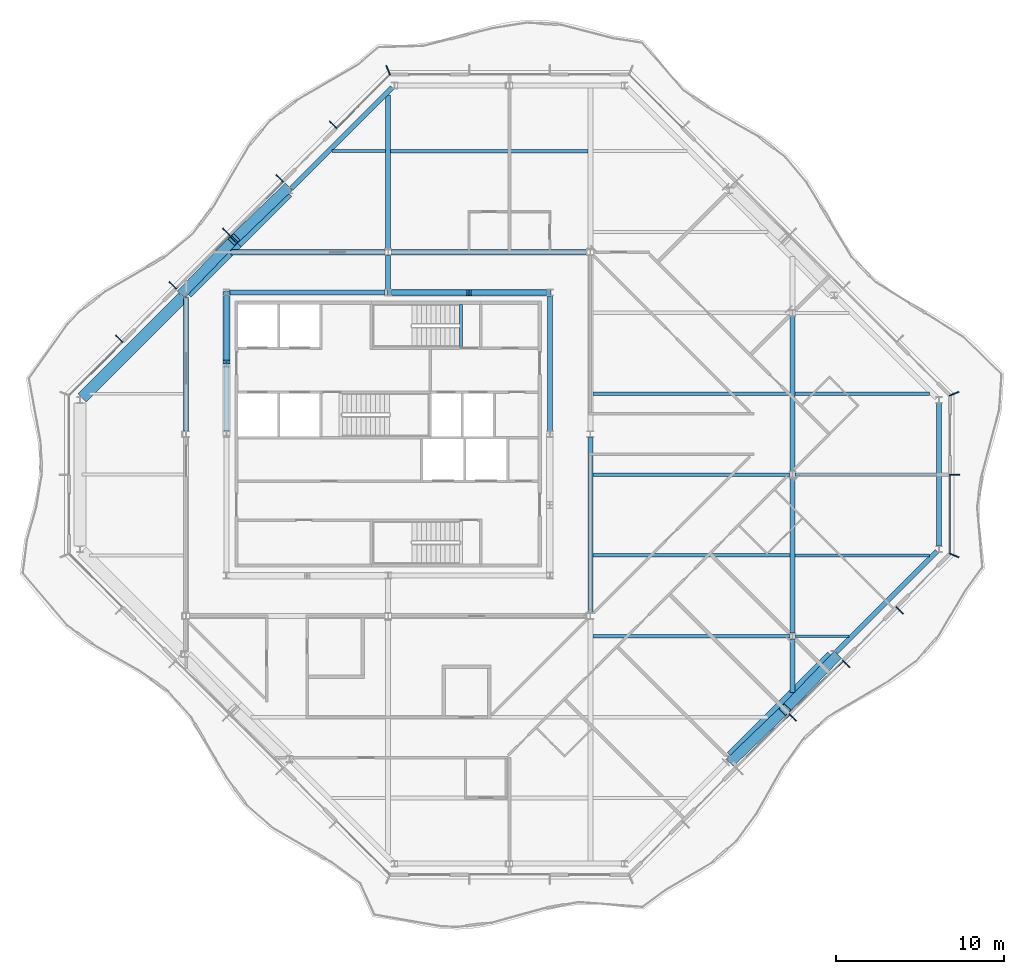
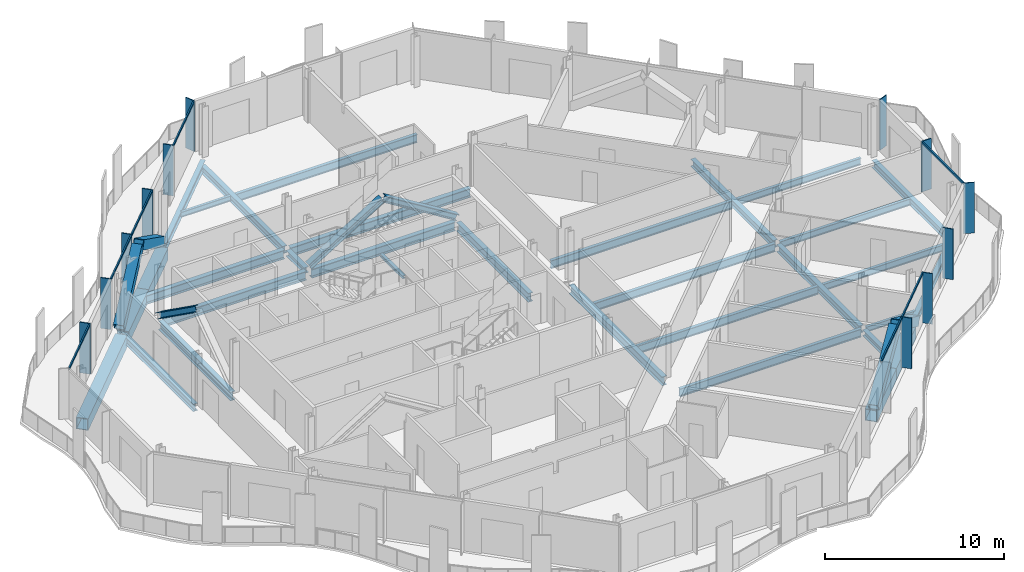
# One storey, part 4 of 17: 32 beams, 26 members, 4 elements without a shape of their own.
"""IFC4 building model written with IfcOpenShell, lengths in metres."""

from ifc_helpers import new_model, si_unit, direction, frame, origin, origin_2d, place, context, subcontext, project, spatial, rectangle, hollow_rectangle, i_section, extrude, material, material_profile, profile_set, type_object, element, aggregate, save


model = new_model("IFC4")

# Units and contexts
model_context = context("Model", 3, precision=1e-05, world=origin(), true_north=direction((0.0, 1.0)))
body_context = subcontext(model_context, "Body", "Model", "MODEL_VIEW")
ifc_project = project(units=[si_unit("LENGTHUNIT", "METRE"), si_unit("AREAUNIT", "SQUARE_METRE"), si_unit("VOLUMEUNIT", "CUBIC_METRE"), si_unit("PLANEANGLEUNIT", "RADIAN"), si_unit("MASSUNIT", "GRAM", prefix="KILO")], contexts=[model_context])

# Site, building, storey
site_placement = place(None, origin())
site = spatial("IfcSite", under=ifc_project, at=site_placement, CompositionType="ELEMENT")
building_placement = place(site_placement, origin())
building = spatial("IfcBuilding", under=site, at=building_placement, Name="Cairn Pilgrim Tower", CompositionType="ELEMENT")
storey_placement = place(building_placement, frame((0.0, 0.0, 281.39990234375)))
storey = spatial("IfcBuildingStorey", under=building, at=storey_placement, Name="L72", CompositionType="ELEMENT", Elevation=281.39990234375)

# Members
ifc_material_1 = material(Name="Structural steel S460M", Category="steel")
ifc_material_profile_1 = material_profile(ifc_material_1, hollow_rectangle(XDim=0.60009765625, YDim=0.60009765625, WallThickness=0.034912109375, at=origin_2d()), Name="BOX 600x600x35")
ifc_profile_set_1 = profile_set([ifc_material_profile_1], Name="Structural steel S460M")
member_type_1 = type_object("IfcMemberType", Name="BOX 600x600x35 BRACE", PredefinedType="BRACE", material=ifc_profile_set_1)
member_1_placement = place(storey_placement, frame((27.602294921875, -16.98779296875, 0.150146484375), z_axis=(0.613676351503, 0.591484186561, 0.5230179659), x_axis=(-0.693968270733, 0.720005582767, 0.0)))
element("IfcMember", 1, at=member_1_placement, inside=storey, type_object=member_type_1, Name="XB-SE2-SE3-1", PredefinedType="BRACE", context=body_context, shape_type="SweptSolid", body=[
    extrude(hollow_rectangle(XDim=0.60009765625, YDim=0.60009765625, WallThickness=0.034912109375, at=origin_2d()), origin(), (0.0, 0.0, 1.0), 5.03857421875),
])
member_2_placement = place(storey_placement, frame((33.78759765625, -10.80224609375, 0.150146484375), z_axis=(-0.59145268268, -0.613693939549, 0.523032955665), x_axis=(0.720033989027, -0.693938797478, 0.0)))
element("IfcMember", 2, at=member_2_placement, inside=storey, type_object=member_type_1, Name="XB-SE2-SE3-2", PredefinedType="BRACE", context=body_context, shape_type="SweptSolid", body=[
    extrude(hollow_rectangle(XDim=0.60009765625, YDim=0.60009765625, WallThickness=0.034912109375, at=origin_2d()), origin(), (0.0, 0.0, 1.0), 5.038330078125),
])
for number, where, z_axis, x_axis, name in (
    (3, (1.19775390625, 16.98779296875, 0.150146484375), (-0.613676351503, -0.591484186561, 0.5230179659), (0.693968270733, -0.720005582767, 0.0), "XB-NW2-NW3-1"),
    (4, (-4.98779296875, 10.80224609375, 0.150146484375), (0.591484186561, 0.613676351503, 0.5230179659), (-0.720005582767, 0.693968270733, 0.0), "XB-NW2-NW3-2"),
):
    element("IfcMember", number, at=place(storey_placement, frame(where, z_axis=z_axis, x_axis=x_axis)), inside=storey, type_object=member_type_1, Name=name, PredefinedType="BRACE", context=body_context, shape_type="SweptSolid", body=[
        extrude(hollow_rectangle(XDim=0.60009765625, YDim=0.60009765625, WallThickness=0.034912109375, at=origin_2d()), origin(), (0.0, 0.0, 1.0), 5.03857421875),
    ])

# Beams
ifc_material_2 = material(Name="Structural steel S355J2", Category="steel")
ifc_material_profile_2 = material_profile(ifc_material_2, hollow_rectangle(XDim=0.699951171875, YDim=0.800048828125, WallThickness=0.0400390625, at=origin_2d()), Name="BOX 700x800x40")
ifc_profile_set_2 = profile_set([ifc_material_profile_2], Name="Structural steel S355J2")
beam_type_1 = type_object("IfcBeamType", Name="BOX 700x800x40 RING GIRDER", PredefinedType="SPANDREL", material=ifc_profile_set_2)
for number, where, z_axis, x_axis, name in (
    (5, (27.575927734375, -16.751220703125, -0.5498046875), (0.707135671578, 0.707077889614, 0.0), (-0.707077889614, 0.707135671578, 0.0), "RG4-SE2-SE3-1"),
    (6, (30.563720703125, -13.763671875, -0.5498046875), (0.707077889614, 0.707135671578, 0.0), (-0.707135671578, 0.707077889614, 0.0), "RG4-SE2-SE3-2"),
    (7, (1.22412109375, 16.751220703125, -0.5498046875), (-0.707135671578, -0.707077889614, 0.0), (0.707077889614, -0.707135671578, 0.0), "RG4-NW2-NW3-1"),
    (8, (-1.763671875, 13.763671875, -0.5498046875), (-0.707077889614, -0.707135671578, 0.0), (0.707135671578, -0.707077889614, 0.0), "RG4-NW2-NW3-2"),
):
    element("IfcBeam", number, at=place(storey_placement, frame(where, z_axis=z_axis, x_axis=x_axis)), inside=storey, type_object=beam_type_1, Name=name, PredefinedType="SPANDREL", context=body_context, shape_type="SweptSolid", body=[
        extrude(hollow_rectangle(XDim=0.699951171875, YDim=0.800048828125, WallThickness=0.0400390625, at=origin_2d()), origin(), (0.0, 0.0, 1.0), 4.22509765625),
    ])
beam_1_placement = place(storey_placement, frame((-5.000244140625, 10.527099609375, -0.5498046875), z_axis=(-0.707092335843, -0.707121226235, 0.0), x_axis=(0.707121226235, -0.707092335843, 0.0)))
element("IfcBeam", 9, at=beam_1_placement, inside=storey, type_object=beam_type_1, Name="RG4-NW3-W1", PredefinedType="SPANDREL", context=body_context, shape_type="SweptSolid", body=[
    extrude(hollow_rectangle(XDim=0.699951171875, YDim=0.800048828125, WallThickness=0.0400390625, at=origin_2d()), origin(), (0.0, 0.0, 1.0), 8.45068359375),
])

# Curtain wall, members
ifc_material_3 = material(Name="Aluminium alloy 6063-T6 bronze anodised with Bronze tinted laminated low-E glass 8+16+8.8", Category="aluminium")
curtain_wall_type = type_object("IfcCurtainWallType", Name="CROWN CURTAIN WALL", PredefinedType="NOTDEFINED", material=ifc_material_3)
curtain_wall_1_placement = place(storey_placement, origin())
curtain_wall_1 = element("IfcCurtainWall", 10, at=curtain_wall_1_placement, inside=storey, type_object=curtain_wall_type, Name="Crown Curtain Wall SE", PredefinedType="NOTDEFINED")
ifc_material_4 = material(Name="Aluminium alloy 6063-T6 bronze anodised", Category="aluminium")
ifc_material_profile_3 = material_profile(ifc_material_4, rectangle(XDim=0.60009765625, YDim=0.06005859375, at=origin_2d()), Name="FIN MULLION 60x600 BRONZE")
ifc_profile_set_3 = profile_set([ifc_material_profile_3], Name="Aluminium alloy 6063-T6 bronze anodised")
member_type_2 = type_object("IfcMemberType", Name="FIN MULLION 60x600 BRONZE", PredefinedType="MULLION", material=ifc_profile_set_3)
member_3_placement = place(storey_placement, frame((31.214111328125, -14.4140625, 0.0), z_axis=(0.0, 0.0, 1.0), x_axis=(0.707106781187, -0.707106781187, 0.0)))
member_3 = element("IfcMember", 11, at=member_3_placement, type_object=member_type_2, Name="Fin mullion SE4", PredefinedType="MULLION", context=body_context, shape_type="SweptSolid", body=[
    extrude(rectangle(XDim=0.60009765625, YDim=0.06005859375, at=origin_2d()), origin(), (0.0, 0.0, 1.0), 3.4501953125),
])
member_4_placement = place(storey_placement, frame((34.3896484375, -11.238525390625, 0.0), z_axis=(0.0, 0.0, 1.0), x_axis=(0.707106781187, -0.707106781187, 0.0)))
member_4 = element("IfcMember", 12, at=member_4_placement, type_object=member_type_2, Name="Fin mullion SE5", PredefinedType="MULLION", context=body_context, shape_type="SweptSolid", body=[
    extrude(rectangle(XDim=0.60009765625, YDim=0.06005859375, at=origin_2d()), origin(), (0.0, 0.0, 1.0), 3.4501953125),
])
member_5_placement = place(storey_placement, frame((37.5654296875, -8.06298828125, 0.0), z_axis=(0.0, 0.0, 1.0), x_axis=(0.707106781187, -0.707106781187, 0.0)))
member_5 = element("IfcMember", 13, at=member_5_placement, type_object=member_type_2, Name="Fin mullion SE6", PredefinedType="MULLION", context=body_context, shape_type="SweptSolid", body=[
    extrude(rectangle(XDim=0.60009765625, YDim=0.06005859375, at=origin_2d()), origin(), (0.0, 0.0, 1.0), 3.4501953125),
])

curtain_wall_2_placement = place(storey_placement, origin())
curtain_wall_2 = element("IfcCurtainWall", 14, at=curtain_wall_2_placement, inside=storey, type_object=curtain_wall_type, Name="Crown Curtain Wall E", PredefinedType="NOTDEFINED")
member_6_placement = place(storey_placement, frame((40.799560546875, -4.7998046875, 0.0), z_axis=(0.0, 0.0, 1.0), x_axis=(0.923879532511, -0.382683432365, 0.0)))
member_6 = element("IfcMember", 15, at=member_6_placement, type_object=member_type_2, Name="Fin mullion E1", PredefinedType="MULLION", context=body_context, shape_type="SweptSolid", body=[
    extrude(rectangle(XDim=0.60009765625, YDim=0.06005859375, at=origin_2d()), origin(), (0.0, 0.0, 1.0), 3.4501953125),
])
member_7_placement = place(storey_placement, frame((40.820068359375, 0.0, 0.0), z_axis=(0.0, 0.0, 1.0), x_axis=(1.0, 0.0, 0.0)))
member_7 = element("IfcMember", 16, at=member_7_placement, type_object=member_type_2, Name="Fin mullion E2", PredefinedType="MULLION", context=body_context, shape_type="SweptSolid", body=[
    extrude(rectangle(XDim=0.60009765625, YDim=0.06005859375, at=origin_2d()), origin(), (0.0, 0.0, 1.0), 3.4501953125),
])

# Curtain wall, member
curtain_wall_3_placement = place(storey_placement, origin())
curtain_wall_3 = element("IfcCurtainWall", 17, at=curtain_wall_3_placement, inside=storey, type_object=curtain_wall_type, Name="Crown Curtain Wall NE", PredefinedType="NOTDEFINED")
member_8_placement = place(storey_placement, frame((40.799560546875, 4.7998046875, 0.0), z_axis=(0.0, 0.0, 1.0), x_axis=(0.923879532511, 0.382683432365, 0.0)))
member_8 = element("IfcMember", 18, at=member_8_placement, type_object=member_type_2, Name="Fin mullion NE1", PredefinedType="MULLION", context=body_context, shape_type="SweptSolid", body=[
    extrude(rectangle(XDim=0.60009765625, YDim=0.06005859375, at=origin_2d()), origin(), (0.0, 0.0, 1.0), 3.4501953125),
])
aggregate(curtain_wall_3, [member_8])

# Curtain wall, members
curtain_wall_4_placement = place(storey_placement, origin())
curtain_wall_4 = element("IfcCurtainWall", 19, at=curtain_wall_4_placement, inside=storey, type_object=curtain_wall_type, Name="Crown Curtain Wall NW", PredefinedType="NOTDEFINED")
member_9_placement = place(storey_placement, frame((7.2001953125, 23.99951171875, 0.0), z_axis=(0.0, 0.0, 1.0), x_axis=(-0.382683432365, 0.923879532511, 0.0)))
member_9 = element("IfcMember", 20, at=member_9_placement, type_object=member_type_2, Name="Fin mullion NW1", PredefinedType="MULLION", context=body_context, shape_type="SweptSolid", body=[
    extrude(rectangle(XDim=0.60009765625, YDim=0.06005859375, at=origin_2d()), origin(), (0.0, 0.0, 1.0), 3.4501953125),
])
member_10_placement = place(storey_placement, frame((3.93701171875, 20.765380859375, 0.0), z_axis=(0.0, 0.0, 1.0), x_axis=(-0.707106781187, 0.707106781187, 0.0)))
member_10 = element("IfcMember", 21, at=member_10_placement, type_object=member_type_2, Name="Fin mullion NW2", PredefinedType="MULLION", context=body_context, shape_type="SweptSolid", body=[
    extrude(rectangle(XDim=0.60009765625, YDim=0.06005859375, at=origin_2d()), origin(), (0.0, 0.0, 1.0), 3.4501953125),
])
member_11_placement = place(storey_placement, frame((0.761474609375, 17.58984375, 0.0), z_axis=(0.0, 0.0, 1.0), x_axis=(-0.707106781187, 0.707106781187, 0.0)))
member_11 = element("IfcMember", 22, at=member_11_placement, type_object=member_type_2, Name="Fin mullion NW3", PredefinedType="MULLION", context=body_context, shape_type="SweptSolid", body=[
    extrude(rectangle(XDim=0.60009765625, YDim=0.06005859375, at=origin_2d()), origin(), (0.0, 0.0, 1.0), 3.4501953125),
])
member_12_placement = place(storey_placement, frame((-2.4140625, 14.4140625, 0.0), z_axis=(0.0, 0.0, 1.0), x_axis=(-0.707106781187, 0.707106781187, 0.0)))
member_12 = element("IfcMember", 23, at=member_12_placement, type_object=member_type_2, Name="Fin mullion NW4", PredefinedType="MULLION", context=body_context, shape_type="SweptSolid", body=[
    extrude(rectangle(XDim=0.60009765625, YDim=0.06005859375, at=origin_2d()), origin(), (0.0, 0.0, 1.0), 3.4501953125),
])
member_13_placement = place(storey_placement, frame((-5.58984375, 11.238525390625, 0.0), z_axis=(0.0, 0.0, 1.0), x_axis=(-0.707106781187, 0.707106781187, 0.0)))
member_13 = element("IfcMember", 24, at=member_13_placement, type_object=member_type_2, Name="Fin mullion NW5", PredefinedType="MULLION", context=body_context, shape_type="SweptSolid", body=[
    extrude(rectangle(XDim=0.60009765625, YDim=0.06005859375, at=origin_2d()), origin(), (0.0, 0.0, 1.0), 3.4501953125),
])
member_14_placement = place(storey_placement, frame((-8.765380859375, 8.06298828125, 0.0), z_axis=(0.0, 0.0, 1.0), x_axis=(-0.707106781187, 0.707106781187, 0.0)))
member_14 = element("IfcMember", 25, at=member_14_placement, type_object=member_type_2, Name="Fin mullion NW6", PredefinedType="MULLION", context=body_context, shape_type="SweptSolid", body=[
    extrude(rectangle(XDim=0.60009765625, YDim=0.06005859375, at=origin_2d()), origin(), (0.0, 0.0, 1.0), 3.4501953125),
])

# Members
ifc_material_profile_4 = material_profile(ifc_material_2, i_section(OverallWidth=0.39794921875, OverallDepth=0.386962890625, WebThickness=0.02099609375, FlangeThickness=0.033203125, FilletRadius=0.014892578125, at=origin_2d()), Name="HD 400x262")
ifc_profile_set_4 = profile_set([ifc_material_profile_4], Name="Structural steel S355J2")
member_type_3 = type_object("IfcMemberType", Name="HD 400x262 BRACE", PredefinedType="BRACE", material=ifc_profile_set_4)
for number, where, z_axis, x_axis, name in (
    (26, (16.76025390625, 10.800048828125, 0.10009765625), (-0.85122905108, 0.0, 0.524794343145), (0.0, -1.0, 0.0), "KB-3A"),
    (27, (7.23974609375, 10.800048828125, 0.10009765625), (0.85122905108, 0.0, 0.524794343145), (0.0, 1.0, 0.0), "KB-3B"),
):
    element("IfcMember", number, at=place(storey_placement, frame(where, z_axis=z_axis, x_axis=x_axis)), inside=storey, type_object=member_type_3, Name=name, PredefinedType="BRACE", context=body_context, shape_type="SweptSolid", body=[
        extrude(i_section(OverallWidth=0.39794921875, OverallDepth=0.386962890625, WebThickness=0.02099609375, FlangeThickness=0.033203125, FilletRadius=0.014892578125, at=origin_2d()), origin(), (0.0, 0.0, 1.0), 5.530029296875),
    ])
member_15_placement = place(storey_placement, frame((-2.39990234375, 10.76025390625, 0.10009765625), z_axis=(0.0, -0.814462005215, 0.580216892258), x_axis=(1.0, 0.0, 0.0)))
element("IfcMember", 28, at=member_15_placement, inside=storey, type_object=member_type_3, Name="KB-4A", PredefinedType="BRACE", context=body_context, shape_type="SweptSolid", body=[
    extrude(i_section(OverallWidth=0.39794921875, OverallDepth=0.386962890625, WebThickness=0.02099609375, FlangeThickness=0.033203125, FilletRadius=0.014892578125, at=origin_2d()), origin(), (0.0, 0.0, 1.0), 4.999755859375),
])

# Beams
ifc_material_profile_5 = material_profile(ifc_material_2, i_section(OverallWidth=0.300048828125, OverallDepth=0.39990234375, WebThickness=0.013427734375, FlangeThickness=0.02392578125, FilletRadius=0.027099609375, at=origin_2d()), Name="HEB 400")
ifc_profile_set_5 = profile_set([ifc_material_profile_5], Name="Structural steel S355J2")
beam_type_2 = type_object("IfcBeamType", Name="HEB 400 GIRDER", PredefinedType="BEAM", material=ifc_profile_set_5)
beam_2_placement = place(storey_placement, frame((7.199951171875, 10.9990234375, -0.349853515625), z_axis=(0.0, 1.0, 0.0), x_axis=(-1.0, 0.0, 0.0)))
element("IfcBeam", 29, at=beam_2_placement, inside=storey, type_object=beam_type_2, Name="PG3-E2", PredefinedType="BEAM", context=body_context, shape_type="SweptSolid", body=[
    extrude(i_section(OverallWidth=0.300048828125, OverallDepth=0.39990234375, WebThickness=0.013427734375, FlangeThickness=0.02392578125, FilletRadius=0.027099609375, at=origin_2d()), origin(), (0.0, 0.0, 1.0), 2.00390625),
])
beam_3_placement = place(storey_placement, frame((31.199951171875, -12.945068359375, -0.349853515625), z_axis=(0.0, 1.0, 0.0), x_axis=(-1.0, 0.0, 0.0)))
element("IfcBeam", 30, at=beam_3_placement, inside=storey, type_object=beam_type_2, Name="PG5-1", PredefinedType="BEAM", context=body_context, shape_type="SweptSolid", body=[
    extrude(i_section(OverallWidth=0.300048828125, OverallDepth=0.39990234375, WebThickness=0.013427734375, FlangeThickness=0.02392578125, FilletRadius=0.027099609375, at=origin_2d()), origin(), (0.0, 0.0, 1.0), 3.14794921875),
])
ifc_material_profile_6 = material_profile(ifc_material_2, i_section(OverallWidth=0.300048828125, OverallDepth=0.5, WebThickness=0.014404296875, FlangeThickness=0.028076171875, FilletRadius=0.027099609375, at=origin_2d()), Name="HEB 500")
ifc_profile_set_6 = profile_set([ifc_material_profile_6], Name="Structural steel S355J2")
beam_type_3 = type_object("IfcBeamType", Name="HEB 500 GIRDER", PredefinedType="BEAM", material=ifc_profile_set_6)
beam_4_placement = place(storey_placement, frame((-4.800048828125, 2.596923828125, -0.39990234375), z_axis=(0.0, 1.0, 0.0), x_axis=(-1.0, 0.0, 0.0)))
element("IfcBeam", 31, at=beam_4_placement, inside=storey, type_object=beam_type_3, Name="PG2-2", PredefinedType="BEAM", context=body_context, shape_type="SweptSolid", body=[
    extrude(i_section(OverallWidth=0.300048828125, OverallDepth=0.5, WebThickness=0.014404296875, FlangeThickness=0.028076171875, FilletRadius=0.027099609375, at=origin_2d()), origin(), (0.0, 0.0, 1.0), 7.9482421875),
])
beam_5_placement = place(storey_placement, frame((7.199951171875, 13.39697265625, -0.39990234375), z_axis=(0.0, 1.0, 0.0), x_axis=(-1.0, 0.0, 0.0)))
element("IfcBeam", 32, at=beam_5_placement, inside=storey, type_object=beam_type_3, Name="PG3-2", PredefinedType="BEAM", context=body_context, shape_type="SweptSolid", body=[
    extrude(i_section(OverallWidth=0.300048828125, OverallDepth=0.5, WebThickness=0.014404296875, FlangeThickness=0.028076171875, FilletRadius=0.027099609375, at=origin_2d()), origin(), (0.0, 0.0, 1.0), 9.148193359375),
])
for number, where, z_axis, x_axis, name in (
    (33, (31.199951171875, -9.403076171875, -0.39990234375), (0.0, 1.0, 0.0), (-1.0, 0.0, 0.0), "PG5-2"),
    (34, (31.199951171875, 0.197021484375, -0.39990234375), (0.0, 1.0, 0.0), (-1.0, 0.0, 0.0), "PG5-3"),
):
    element("IfcBeam", number, at=place(storey_placement, frame(where, z_axis=z_axis, x_axis=x_axis)), inside=storey, type_object=beam_type_3, Name=name, PredefinedType="BEAM", context=body_context, shape_type="SweptSolid", body=[
        extrude(i_section(OverallWidth=0.300048828125, OverallDepth=0.5, WebThickness=0.014404296875, FlangeThickness=0.028076171875, FilletRadius=0.027099609375, at=origin_2d()), origin(), (0.0, 0.0, 1.0), 9.2060546875),
    ])
ifc_material_profile_7 = material_profile(ifc_material_2, i_section(OverallWidth=0.300048828125, OverallDepth=0.5, WebThickness=0.014404296875, FlangeThickness=0.028076171875, FilletRadius=0.027099609375, at=origin_2d()), Name="HEB 500")
ifc_profile_set_7 = profile_set([ifc_material_profile_7], Name="Structural steel S355J2")
beam_type_4 = type_object("IfcBeamType", Name="HEB 500 RING GIRDER", PredefinedType="SPANDREL", material=ifc_profile_set_7)
beam_6_placement = place(storey_placement, frame((33.80029296875, -10.527099609375, -0.39990234375), z_axis=(0.707092335843, 0.707121226235, 0.0), x_axis=(-0.707121226235, 0.707092335843, 0.0)))
element("IfcBeam", 35, at=beam_6_placement, inside=storey, type_object=beam_type_4, Name="RG4-SE3-E1", PredefinedType="SPANDREL", context=body_context, shape_type="SweptSolid", body=[
    extrude(i_section(OverallWidth=0.300048828125, OverallDepth=0.5, WebThickness=0.014404296875, FlangeThickness=0.028076171875, FilletRadius=0.027099609375, at=origin_2d()), origin(), (0.0, 0.0, 1.0), 8.45068359375),
])
beam_7_placement = place(storey_placement, frame((39.89990234375, -4.251220703125, -0.39990234375), z_axis=(0.0, 1.0, 0.0), x_axis=(-1.0, 0.0, 0.0)))
element("IfcBeam", 36, at=beam_7_placement, inside=storey, type_object=beam_type_4, Name="RG4-E1-NE1", PredefinedType="SPANDREL", context=body_context, shape_type="SweptSolid", body=[
    extrude(i_section(OverallWidth=0.300048828125, OverallDepth=0.5, WebThickness=0.014404296875, FlangeThickness=0.028076171875, FilletRadius=0.027099609375, at=origin_2d()), origin(), (0.0, 0.0, 1.0), 8.50244140625),
])
beam_8_placement = place(storey_placement, frame((7.448486328125, 22.9755859375, -0.39990234375), z_axis=(-0.707121226235, -0.707092335843, 0.0), x_axis=(0.707092335843, -0.707121226235, 0.0)))
element("IfcBeam", 37, at=beam_8_placement, inside=storey, type_object=beam_type_4, Name="RG4-NW1-NW2", PredefinedType="SPANDREL", context=body_context, shape_type="SweptSolid", body=[
    extrude(i_section(OverallWidth=0.300048828125, OverallDepth=0.5, WebThickness=0.014404296875, FlangeThickness=0.028076171875, FilletRadius=0.027099609375, at=origin_2d()), origin(), (0.0, 0.0, 1.0), 8.45068359375),
])
ifc_material_profile_8 = material_profile(ifc_material_2, i_section(OverallWidth=0.300048828125, OverallDepth=0.60009765625, WebThickness=0.015380859375, FlangeThickness=0.030029296875, FilletRadius=0.027099609375, at=origin_2d()), Name="HEB 600")
ifc_profile_set_8 = profile_set([ifc_material_profile_8], Name="Structural steel S355J2")
beam_type_5 = type_object("IfcBeamType", Name="HEB 600 CORE BEAM", PredefinedType="BEAM", material=ifc_profile_set_8)
beam_9_placement = place(storey_placement, frame((16.800048828125, 2.5791015625, -0.449951171875), z_axis=(0.0, 1.0, 0.0), x_axis=(-1.0, 0.0, 0.0)))
element("IfcBeam", 38, at=beam_9_placement, inside=storey, type_object=beam_type_5, Name="CB-4", PredefinedType="BEAM", context=body_context, shape_type="SweptSolid", body=[
    extrude(i_section(OverallWidth=0.300048828125, OverallDepth=0.60009765625, WebThickness=0.015380859375, FlangeThickness=0.030029296875, FilletRadius=0.027099609375, at=origin_2d()), origin(), (0.0, 0.0, 1.0), 8.041748046875),
])
beam_10_placement = place(storey_placement, frame((16.620849609375, 10.800048828125, -0.449951171875), z_axis=(-1.0, 0.0, 0.0), x_axis=(0.0, -1.0, 0.0)))
element("IfcBeam", 39, at=beam_10_placement, inside=storey, type_object=beam_type_5, Name="CB-5", PredefinedType="BEAM", context=body_context, shape_type="SweptSolid", body=[
    extrude(i_section(OverallWidth=0.300048828125, OverallDepth=0.60009765625, WebThickness=0.015380859375, FlangeThickness=0.030029296875, FilletRadius=0.027099609375, at=origin_2d()), origin(), (0.0, 0.0, 1.0), 9.24169921875),
])
beam_11_placement = place(storey_placement, frame((7.02099609375, 10.800048828125, -0.449951171875), z_axis=(-1.0, 0.0, 0.0), x_axis=(0.0, -1.0, 0.0)))
element("IfcBeam", 40, at=beam_11_placement, inside=storey, type_object=beam_type_5, Name="CB-6", PredefinedType="BEAM", context=body_context, shape_type="SweptSolid", body=[
    extrude(i_section(OverallWidth=0.300048828125, OverallDepth=0.60009765625, WebThickness=0.015380859375, FlangeThickness=0.030029296875, FilletRadius=0.027099609375, at=origin_2d()), origin(), (0.0, 0.0, 1.0), 9.241943359375),
])
beam_12_placement = place(storey_placement, frame((-2.39990234375, 10.620849609375, -0.449951171875), z_axis=(0.0, -1.0, 0.0), x_axis=(1.0, 0.0, 0.0)))
element("IfcBeam", 41, at=beam_12_placement, inside=storey, type_object=beam_type_5, Name="CB-7", PredefinedType="BEAM", context=body_context, shape_type="SweptSolid", body=[
    extrude(i_section(OverallWidth=0.300048828125, OverallDepth=0.60009765625, WebThickness=0.015380859375, FlangeThickness=0.030029296875, FilletRadius=0.027099609375, at=origin_2d()), origin(), (0.0, 0.0, 1.0), 8.041748046875),
])
ifc_material_profile_9 = material_profile(ifc_material_2, i_section(OverallWidth=0.300048828125, OverallDepth=0.60009765625, WebThickness=0.015380859375, FlangeThickness=0.030029296875, FilletRadius=0.027099609375, at=origin_2d()), Name="HEB 600")
ifc_profile_set_9 = profile_set([ifc_material_profile_9], Name="Structural steel S355J2")
beam_type_6 = type_object("IfcBeamType", Name="HEB 600 GIRDER", PredefinedType="BEAM", material=ifc_profile_set_9)
beam_13_placement = place(storey_placement, frame((19.199951171875, -8.202880859375, -0.449951171875), z_axis=(0.0, 1.0, 0.0), x_axis=(-1.0, 0.0, 0.0)))
element("IfcBeam", 42, at=beam_13_placement, inside=storey, type_object=beam_type_6, Name="PG4-2", PredefinedType="BEAM", context=body_context, shape_type="SweptSolid", body=[
    extrude(i_section(OverallWidth=0.300048828125, OverallDepth=0.60009765625, WebThickness=0.015380859375, FlangeThickness=0.030029296875, FilletRadius=0.027099609375, at=origin_2d()), origin(), (0.0, 0.0, 1.0), 10.40576171875),
])
ifc_material_profile_10 = material_profile(ifc_material_2, i_section(OverallWidth=0.300048828125, OverallDepth=0.60009765625, WebThickness=0.015380859375, FlangeThickness=0.030029296875, FilletRadius=0.027099609375, at=origin_2d()), Name="HEB 600")
ifc_profile_set_10 = profile_set([ifc_material_profile_10], Name="Structural steel S355J2")
beam_type_7 = type_object("IfcBeamType", Name="HEB 600 INNER GIRDER", PredefinedType="BEAM", material=ifc_profile_set_10)
beam_14_placement = place(storey_placement, frame((-2.14501953125, 13.199951171875, -0.449951171875), z_axis=(1.0, 0.0, 0.0), x_axis=(0.0, 1.0, 0.0)))
element("IfcBeam", 43, at=beam_14_placement, inside=storey, type_object=beam_type_7, Name="IG2-1", PredefinedType="BEAM", context=body_context, shape_type="SweptSolid", body=[
    extrude(i_section(OverallWidth=0.300048828125, OverallDepth=0.60009765625, WebThickness=0.015380859375, FlangeThickness=0.030029296875, FilletRadius=0.027099609375, at=origin_2d()), origin(), (0.0, 0.0, 1.0), 9.14794921875),
])
beam_15_placement = place(storey_placement, frame((7.39697265625, 13.199951171875, -0.449951171875), z_axis=(1.0, 0.0, 0.0), x_axis=(0.0, 1.0, 0.0)))
element("IfcBeam", 44, at=beam_15_placement, inside=storey, type_object=beam_type_7, Name="IG2-2", PredefinedType="BEAM", context=body_context, shape_type="SweptSolid", body=[
    extrude(i_section(OverallWidth=0.300048828125, OverallDepth=0.60009765625, WebThickness=0.015380859375, FlangeThickness=0.030029296875, FilletRadius=0.027099609375, at=origin_2d()), origin(), (0.0, 0.0, 1.0), 11.60595703125),
])
ifc_material_profile_11 = material_profile(ifc_material_2, i_section(OverallWidth=0.169921875, OverallDepth=0.360107421875, WebThickness=0.008056640625, FlangeThickness=0.0126953125, FilletRadius=0.01806640625, at=origin_2d()), Name="IPE 360")
ifc_profile_set_11 = profile_set([ifc_material_profile_11], Name="Structural steel S355J2")
beam_type_8 = type_object("IfcBeamType", Name="IPE 360 SECONDARY BEAM", PredefinedType="JOIST", material=ifc_profile_set_11)
for number, where, z_axis, x_axis, name in (
    (45, (31.35009765625, -9.60009765625, -0.329833984375), (1.0, 0.0, 0.0), (0.0, 1.0, 0.0), "SB3-2"),
    (46, (3.85498046875, 19.199951171875, -0.329833984375), (1.0, 0.0, 0.0), (0.0, 1.0, 0.0), "SB9-1"),
):
    element("IfcBeam", number, at=place(storey_placement, frame(where, z_axis=z_axis, x_axis=x_axis)), inside=storey, type_object=beam_type_8, Name=name, PredefinedType="JOIST", context=body_context, shape_type="SweptSolid", body=[
        extrude(i_section(OverallWidth=0.169921875, OverallDepth=0.360107421875, WebThickness=0.008056640625, FlangeThickness=0.0126953125, FilletRadius=0.01806640625, at=origin_2d()), origin(), (0.0, 0.0, 1.0), 3.195068359375),
    ])
ifc_material_profile_12 = material_profile(ifc_material_2, i_section(OverallWidth=0.18994140625, OverallDepth=0.449951171875, WebThickness=0.009521484375, FlangeThickness=0.0146484375, FilletRadius=0.02099609375, at=origin_2d()), Name="IPE 450")
ifc_profile_set_12 = profile_set([ifc_material_profile_12], Name="Structural steel S355J2")
beam_type_9 = type_object("IfcBeamType", Name="IPE 450 SECONDARY BEAM", PredefinedType="JOIST", material=ifc_profile_set_12)
beam_16_placement = place(storey_placement, frame((31.35009765625, -4.800048828125, -0.375), z_axis=(1.0, 0.0, 0.0), x_axis=(0.0, 1.0, 0.0)))
element("IfcBeam", 47, at=beam_16_placement, inside=storey, type_object=beam_type_9, Name="SB4-3", PredefinedType="JOIST", context=body_context, shape_type="SweptSolid", body=[
    extrude(i_section(OverallWidth=0.18994140625, OverallDepth=0.449951171875, WebThickness=0.009521484375, FlangeThickness=0.0146484375, FilletRadius=0.02099609375, at=origin_2d()), origin(), (0.0, 0.0, 1.0), 7.9951171875),
])
beam_17_placement = place(storey_placement, frame((31.35009765625, 0.0, -0.375), z_axis=(1.0, 0.0, 0.0), x_axis=(0.0, 1.0, 0.0)))
element("IfcBeam", 48, at=beam_17_placement, inside=storey, type_object=beam_type_9, Name="SB5-3", PredefinedType="JOIST", context=body_context, shape_type="SweptSolid", body=[
    extrude(i_section(OverallWidth=0.18994140625, OverallDepth=0.449951171875, WebThickness=0.009521484375, FlangeThickness=0.0146484375, FilletRadius=0.02099609375, at=origin_2d()), origin(), (0.0, 0.0, 1.0), 8.429931640625),
])
beam_18_placement = place(storey_placement, frame((31.35009765625, 4.800048828125, -0.375), z_axis=(1.0, 0.0, 0.0), x_axis=(0.0, 1.0, 0.0)))
element("IfcBeam", 49, at=beam_18_placement, inside=storey, type_object=beam_type_9, Name="SB6-3", PredefinedType="JOIST", context=body_context, shape_type="SweptSolid", body=[
    extrude(i_section(OverallWidth=0.18994140625, OverallDepth=0.449951171875, WebThickness=0.009521484375, FlangeThickness=0.0146484375, FilletRadius=0.02099609375, at=origin_2d()), origin(), (0.0, 0.0, 1.0), 7.9951171875),
])
ifc_material_profile_13 = material_profile(ifc_material_2, i_section(OverallWidth=0.2099609375, OverallDepth=0.550048828125, WebThickness=0.010986328125, FlangeThickness=0.01708984375, FilletRadius=0.02392578125, at=origin_2d()), Name="IPE 550")
ifc_profile_set_13 = profile_set([ifc_material_profile_13], Name="Structural steel S355J2")
beam_type_10 = type_object("IfcBeamType", Name="IPE 550 SECONDARY BEAM", PredefinedType="JOIST", material=ifc_profile_set_13)
for number, where, z_axis, x_axis, name in (
    (50, (19.35009765625, -9.60009765625, -0.4248046875), (1.0, 0.0, 0.0), (0.0, 1.0, 0.0), "SB3-1"),
    (51, (19.35009765625, -4.800048828125, -0.4248046875), (1.0, 0.0, 0.0), (0.0, 1.0, 0.0), "SB4-2"),
    (52, (19.35009765625, 0.0, -0.4248046875), (1.0, 0.0, 0.0), (0.0, 1.0, 0.0), "SB5-2"),
    (53, (19.35009765625, 4.800048828125, -0.4248046875), (1.0, 0.0, 0.0), (0.0, 1.0, 0.0), "SB6-2"),
    (54, (7.35009765625, 19.199951171875, -0.4248046875), (1.0, 0.0, 0.0), (0.0, 1.0, 0.0), "SB9-2"),
):
    element("IfcBeam", number, at=place(storey_placement, frame(where, z_axis=z_axis, x_axis=x_axis)), inside=storey, type_object=beam_type_10, Name=name, PredefinedType="JOIST", context=body_context, shape_type="SweptSolid", body=[
        extrude(i_section(OverallWidth=0.2099609375, OverallDepth=0.550048828125, WebThickness=0.010986328125, FlangeThickness=0.01708984375, FilletRadius=0.02392578125, at=origin_2d()), origin(), (0.0, 0.0, 1.0), 11.699951171875),
    ])
ifc_material_profile_14 = material_profile(ifc_material_2, i_section(OverallWidth=0.199951171875, OverallDepth=0.199951171875, WebThickness=0.009033203125, FlangeThickness=0.014892578125, FilletRadius=0.01806640625, at=origin_2d()), Name="HE 200 B")
ifc_profile_set_14 = profile_set([ifc_material_profile_14], Name="Structural steel S355J2")
beam_type_11 = type_object("IfcBeamType", Name="STAIR LANDING BEAM HE 200 B", PredefinedType="BEAM", material=ifc_profile_set_14)
beam_19_placement = place(storey_placement, frame((11.5244140625, 10.10009765625, -0.25), z_axis=(0.0, -1.0, 0.0), x_axis=(1.0, 0.0, 0.0)))
element("IfcBeam", 55, at=beam_19_placement, inside=storey, type_object=beam_type_11, Name="STAIR LANDING BEAM LD-HE200B", PredefinedType="BEAM", context=body_context, shape_type="SweptSolid", body=[
    extrude(i_section(OverallWidth=0.199951171875, OverallDepth=0.199951171875, WebThickness=0.009033203125, FlangeThickness=0.014892578125, FilletRadius=0.01806640625, at=origin_2d()), origin(), (0.0, 0.0, 1.0), 2.525146484375),
])

# Member
ifc_material_profile_15 = material_profile(ifc_material_4, rectangle(XDim=0.080078125, YDim=0.14990234375, at=origin_2d()), Name="TRANSOM 80x150 BRONZE")
ifc_profile_set_15 = profile_set([ifc_material_profile_15], Name="Aluminium alloy 6063-T6 bronze anodised")
member_type_4 = type_object("IfcMemberType", Name="TRANSOM 80x150 BRONZE", PredefinedType="USERDEFINED", material=ifc_profile_set_15)
member_16_placement = place(storey_placement, frame((27.868896484375, -17.377685546875, 3.375), z_axis=(0.707079231393, 0.707134329907, 0.0), x_axis=(-0.707134329907, 0.707079231393, 0.0)))
member_16 = element("IfcMember", 56, at=member_16_placement, type_object=member_type_4, Name="Transom SE3", ObjectType="TRANSOM", PredefinedType="USERDEFINED", context=body_context, shape_type="SweptSolid", body=[
    extrude(rectangle(XDim=0.080078125, YDim=0.14990234375, at=origin_2d()), origin(), (0.0, 0.0, 1.0), 4.430908203125),
])

member_17_placement = place(storey_placement, frame((31.04443359375, -14.201904296875, 3.375), z_axis=(0.707106781187, 0.707106781187, 0.0), x_axis=(-0.707106781187, 0.707106781187, 0.0)))
member_17 = element("IfcMember", 57, at=member_17_placement, type_object=member_type_4, Name="Transom SE4", ObjectType="TRANSOM", PredefinedType="USERDEFINED", context=body_context, shape_type="SweptSolid", body=[
    extrude(rectangle(XDim=0.080078125, YDim=0.14990234375, at=origin_2d()), origin(), (0.0, 0.0, 1.0), 4.430908203125),
])

aggregate(curtain_wall_1, [member_3, member_4, member_5, member_16, member_17])

member_18_placement = place(storey_placement, frame((40.550048828125, -4.656494140625, 3.375), z_axis=(0.0, 1.0, 0.0), x_axis=(-1.0, 0.0, 0.0)))
member_18 = element("IfcMember", 58, at=member_18_placement, type_object=member_type_4, Name="Transom E1", ObjectType="TRANSOM", PredefinedType="USERDEFINED", context=body_context, shape_type="SweptSolid", body=[
    extrude(rectangle(XDim=0.080078125, YDim=0.14990234375, at=origin_2d()), origin(), (0.0, 0.0, 1.0), 4.62646484375),
])

aggregate(curtain_wall_2, [member_6, member_7, member_18])

member_19_placement = place(storey_placement, frame((7.275390625, 23.7216796875, 3.375), z_axis=(-0.707134392299, -0.707079168996, 0.0), x_axis=(0.707079168996, -0.707134392299, 0.0)))
member_19 = element("IfcMember", 59, at=member_19_placement, type_object=member_type_4, Name="Transom NW1", ObjectType="TRANSOM", PredefinedType="USERDEFINED", context=body_context, shape_type="SweptSolid", body=[
    extrude(rectangle(XDim=0.080078125, YDim=0.14990234375, at=origin_2d()), origin(), (0.0, 0.0, 1.0), 4.4208984375),
])

member_20_placement = place(storey_placement, frame((0.93115234375, 17.377685546875, 3.375), z_axis=(-0.707079231393, -0.707134329907, 0.0), x_axis=(0.707134329907, -0.707079231393, 0.0)))
member_20 = element("IfcMember", 60, at=member_20_placement, type_object=member_type_4, Name="Transom NW3", ObjectType="TRANSOM", PredefinedType="USERDEFINED", context=body_context, shape_type="SweptSolid", body=[
    extrude(rectangle(XDim=0.080078125, YDim=0.14990234375, at=origin_2d()), origin(), (0.0, 0.0, 1.0), 4.430908203125),
])

member_21_placement = place(storey_placement, frame((-2.244384765625, 14.201904296875, 3.375), z_axis=(-0.707134329907, -0.707079231393, 0.0), x_axis=(0.707079231393, -0.707134329907, 0.0)))
member_21 = element("IfcMember", 61, at=member_21_placement, type_object=member_type_4, Name="Transom NW4", ObjectType="TRANSOM", PredefinedType="USERDEFINED", context=body_context, shape_type="SweptSolid", body=[
    extrude(rectangle(XDim=0.080078125, YDim=0.14990234375, at=origin_2d()), origin(), (0.0, 0.0, 1.0), 4.430908203125),
])

member_22_placement = place(storey_placement, frame((-8.595703125, 7.850830078125, 3.375), z_axis=(-0.707079168996, -0.707134392299, 0.0), x_axis=(0.707134392299, -0.707079168996, 0.0)))
member_22 = element("IfcMember", 62, at=member_22_placement, type_object=member_type_4, Name="Transom NW6", ObjectType="TRANSOM", PredefinedType="USERDEFINED", context=body_context, shape_type="SweptSolid", body=[
    extrude(rectangle(XDim=0.080078125, YDim=0.14990234375, at=origin_2d()), origin(), (0.0, 0.0, 1.0), 4.4208984375),
])

aggregate(curtain_wall_4, [member_9, member_10, member_11, member_12, member_13, member_14, member_19, member_20, member_21, member_22])

save(model, "model.ifc")
